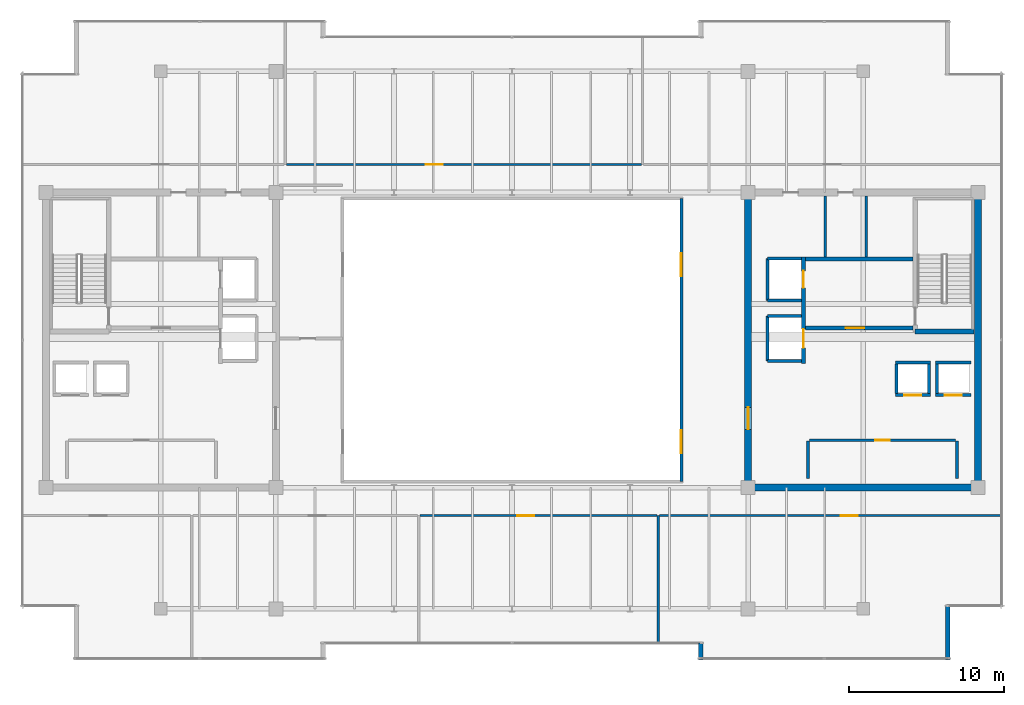
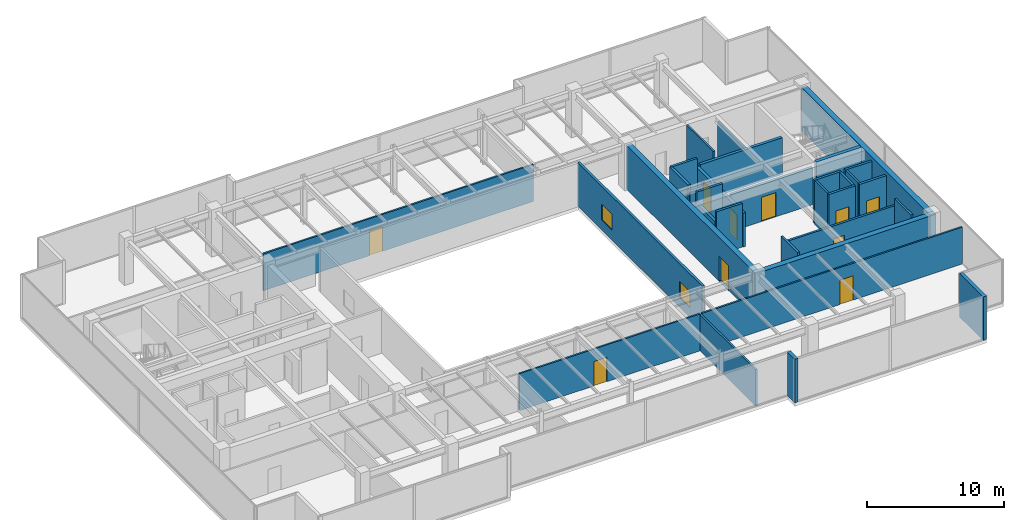
# One storey, part 28 of 31: 32 walls, 10 doors, 2 windows, 12 openings.
"""IFC4 building model written with IfcOpenShell, lengths in metres."""

from ifc_helpers import new_model, si_unit, direction, frame, frame_2d, origin, place, context, subcontext, project, spatial, rectangle, extrude, source, transform, mapped, material, layer, layer_set, type_object, type_shapes, element, fill, save


model = new_model("IFC4")

# Units and contexts
model_context = context("Model", 3, precision=1e-05, world=origin(), true_north=direction((0.0, 1.0)))
body_context = subcontext(model_context, "Body", "Model", "MODEL_VIEW")
ifc_project = project(units=[si_unit("LENGTHUNIT", "METRE"), si_unit("AREAUNIT", "SQUARE_METRE"), si_unit("VOLUMEUNIT", "CUBIC_METRE"), si_unit("PLANEANGLEUNIT", "RADIAN"), si_unit("MASSUNIT", "GRAM", prefix="KILO")], contexts=[model_context])

# Site, building, storey
site_placement = place(None, origin())
site = spatial("IfcSite", under=ifc_project, at=site_placement, CompositionType="ELEMENT")
building_placement = place(site_placement, origin())
building = spatial("IfcBuilding", under=site, at=building_placement, Name="Haelvirn Gate Laboratories", CompositionType="ELEMENT")
storey_placement = place(building_placement, frame((0.0, 0.0, 318.60009765625)))
storey = spatial("IfcBuildingStorey", under=building, at=storey_placement, Name="L76", CompositionType="ELEMENT", Elevation=318.60009765625)

# Walls
ifc_material_1 = material(Name="Thermally-broken bronze aluminium rainscreen & mineral wool", Category="aluminium")
ifc_layer_1 = layer(ifc_material_1, 0.280029296875, Name="EW-TERR-280")
ifc_layer_set_1 = layer_set([ifc_layer_1], Name="Thermally-broken bronze aluminium rainscreen & mineral wool")
wall_type_1 = type_object("IfcWallType", Name="EW-TERR-280", PredefinedType="STANDARD", material=ifc_layer_set_1)
wall_1_placement = place(storey_placement, frame((49.5400390625, 4.79296875, 0.0), z_axis=(0.0, 0.0, 1.0), x_axis=(0.0, -1.0, 0.0)))
element("IfcWall", 1, at=wall_1_placement, inside=storey, type_object=wall_type_1, Name="L76 Atrium Recess Bronze Return Wall 03", PredefinedType="STANDARD", context=body_context, shape_type="SweptSolid", body=[
    extrude(rectangle(XDim=1.093017578125, YDim=0.280029296875, at=frame_2d((0.54638671875, 0.0))), origin(), (0.0, 0.0, 1.0), 3.89990234375),
])
wall_2_placement = place(storey_placement, frame((65.4599609375, 3.699951171875, 0.0), z_axis=(0.0, 0.0, 1.0), x_axis=(0.0, 1.0, 0.0)))
element("IfcWall", 2, at=wall_2_placement, inside=storey, type_object=wall_type_1, Name="L76 Atrium Recess Bronze Return Wall 05", PredefinedType="STANDARD", context=body_context, shape_type="SweptSolid", body=[
    extrude(rectangle(XDim=3.488037109375, YDim=0.280029296875, at=frame_2d((1.744140625, 0.0))), origin(), (0.0, 0.0, 1.0), 3.89990234375),
])
ifc_material_2 = material(Name="Double-layer acoustic gypsum laboratory partition", Category="gypsum")
ifc_layer_2 = layer(ifc_material_2, 0.159912109375, Name="IW-ACOUST-160")
ifc_layer_set_2 = layer_set([ifc_layer_2], Name="Double-layer acoustic gypsum laboratory partition")
wall_type_2 = type_object("IfcWallType", Name="IW-ACOUST-160", PredefinedType="PARTITIONING", material=ifc_layer_set_2)
wall_3_placement = place(storey_placement, frame((46.800048828125, 4.81005859375, 0.0), z_axis=(0.0, 0.0, 1.0), x_axis=(0.0, 1.0, 0.0)))
element("IfcWall", 3, at=wall_3_placement, inside=storey, type_object=wall_type_2, Name="L76 Interior Wall IW-L76-SDIV-03", PredefinedType="PARTITIONING", context=body_context, shape_type="SweptSolid", body=[
    extrude(rectangle(XDim=8.18505859375, YDim=0.159912109375, at=frame_2d((4.092529296875, 0.0))), origin(), (0.0, 0.0, 1.0), 3.23486328125),
])

# Wall, openings, windows
ifc_material_3 = material(Name="Tempered fire-rated borosilicate glass & anodised aluminium", Category="aluminium")
ifc_layer_3 = layer(ifc_material_3, 0.195068359375, Name="IW-GLAZ-200")
ifc_layer_set_3 = layer_set([ifc_layer_3], Name="Tempered fire-rated borosilicate glass & anodised aluminium")
wall_type_3 = type_object("IfcWallType", Name="IW-GLAZ-200", PredefinedType="SOLIDWALL", material=ifc_layer_set_3)
wall_4_placement = place(storey_placement, frame((48.300048828125, 15.199951171875, 0.0), z_axis=(0.0, 0.0, 1.0), x_axis=(0.0, 1.0, 0.0)))
wall_4 = element("IfcWall", 4, at=wall_4_placement, inside=storey, type_object=wall_type_3, Name="L76 Interior Wall IW-L76-ATRIUM-E", PredefinedType="SOLIDWALL", context=body_context, shape_type="SweptSolid", body=[
    extrude(rectangle(XDim=18.199951171875, YDim=0.195068359375, at=frame_2d((9.10009765625, 0.0))), origin(), (0.0, 0.0, 1.0), 3.89990234375),
])
opening_1_placement = place(wall_4_placement, frame((1.800048828125, 0.0, 0.89990234375)))
opening_1 = element("IfcOpeningElement", 5, at=opening_1_placement, cuts=wall_4, Name="Opening W5", PredefinedType="OPENING", context=body_context, shape_type="SweptSolid", body=[
    extrude(rectangle(XDim=1.5, YDim=1.39990234375, at=frame_2d((0.75, 0.699951171875))), frame((0.0, 0.107421875, 0.0), z_axis=(0.0, -1.0, 0.0), x_axis=(1.0, 0.0, 0.0)), (0.0, 0.0, 1.0), 0.215087890625),
])
opening_2_placement = place(wall_4_placement, frame((13.199951171875, 0.0, 0.89990234375)))
opening_2 = element("IfcOpeningElement", 6, at=opening_2_placement, cuts=wall_4, Name="Opening W5", PredefinedType="OPENING", context=body_context, shape_type="SweptSolid", body=[
    extrude(rectangle(XDim=1.5, YDim=1.39990234375, at=frame_2d((0.75, 0.699951171875))), frame((0.0, 0.107421875, 0.0), z_axis=(0.0, -1.0, 0.0), x_axis=(1.0, 0.0, 0.0)), (0.0, 0.0, 1.0), 0.215087890625),
])
ifc_material_4 = material(Name="Fire-rated EI 120 borosilicate atrium vision glazing", Category="glass")
window_type = type_object("IfcWindowType", Name="WN-ATR-1500", PartitioningType="SINGLE_PANEL", PredefinedType="WINDOW", material=ifc_material_4)
shared_shape_1 = source(origin(), body_context, "Body", "SweptSolid", [
    extrude(rectangle(XDim=1.5, YDim=1.39990234375, at=frame_2d((0.75, 0.699951171875))), frame((0.0, 0.030029296875, 0.0), z_axis=(0.0, -1.0, 0.0), x_axis=(1.0, 0.0, 0.0)), (0.0, 0.0, 1.0), 0.06005859375),
])
type_shapes(window_type, [shared_shape_1])
window_1_placement = place(opening_1_placement, origin())
window_1 = element("IfcWindow", 7, at=window_1_placement, inside=storey, type_object=window_type, Name="L76 Atrium Observation Window 1", OverallHeight=1.39990234375, OverallWidth=1.5, PartitioningType="SINGLE_PANEL", PredefinedType="WINDOW", context=body_context, shape_type="MappedRepresentation", body=[
    mapped(shared_shape_1, transform((0.0, 0.0, 0.0), scale=1.0)),
])
fill(opening_1, window_1)
window_2_placement = place(opening_2_placement, origin())
window_2 = element("IfcWindow", 8, at=window_2_placement, inside=storey, type_object=window_type, Name="L76 Atrium Observation Window 2", OverallHeight=1.39990234375, OverallWidth=1.5, PartitioningType="SINGLE_PANEL", PredefinedType="WINDOW", context=body_context, shape_type="MappedRepresentation", body=[
    mapped(shared_shape_1, transform((0.0, 0.0, 0.0), scale=1.0)),
])
fill(opening_2, window_2)

# Wall, opening, door
ifc_material_5 = material(Name="Acoustic mineral-wool gypsum board partition", Category="gypsum")
ifc_layer_4 = layer(ifc_material_5, 0.139892578125, Name="IW-PART-140")
ifc_layer_set_4 = layer_set([ifc_layer_4], Name="Acoustic mineral-wool gypsum board partition")
wall_type_4 = type_object("IfcWallType", Name="IW-PART-140", PredefinedType="PARTITIONING", material=ifc_layer_set_4)
wall_5_placement = place(storey_placement, frame((31.47998046875, 12.9951171875, 0.0), z_axis=(0.0, 0.0, 1.0), x_axis=(1.0, 0.0, 0.0)))
wall_5 = element("IfcWall", 9, at=wall_5_placement, inside=storey, type_object=wall_type_4, Name="L76 Interior Wall IW-L76-SCORR-03", PredefinedType="PARTITIONING", context=body_context, shape_type="SweptSolid", body=[
    extrude(rectangle(XDim=15.239990234375, YDim=0.139892578125, at=frame_2d((7.6201171875, 0.0))), origin(), (0.0, 0.0, 1.0), 3.296875),
])
opening_3_placement = place(wall_5_placement, frame((6.263671875, 0.0, 0.0)))
opening_3 = element("IfcOpeningElement", 10, at=opening_3_placement, cuts=wall_5, Name="Opening D1", PredefinedType="OPENING", context=body_context, shape_type="SweptSolid", body=[
    extrude(rectangle(XDim=1.10009765625, YDim=2.179931640625, at=frame_2d((0.550048828125, 1.08984375))), frame((0.0, 0.080078125, 0.0), z_axis=(0.0, -1.0, 0.0), x_axis=(1.0, 0.0, 0.0)), (0.0, 0.0, 1.0), 0.159912109375),
])
ifc_material_6 = material(Name="Vision-panel acoustic solid-core timber lab door", Category="wood")
door_type_1 = type_object("IfcDoorType", Name="DR-LAB-1100", OperationType="NOTDEFINED", PredefinedType="DOOR", material=ifc_material_6)
shared_shape_2 = source(origin(), body_context, "Body", "SweptSolid", [
    extrude(rectangle(XDim=1.10009765625, YDim=2.179931640625, at=frame_2d((0.550048828125, 1.08984375))), frame((0.0, 0.02490234375, 0.0), z_axis=(0.0, -1.0, 0.0), x_axis=(1.0, 0.0, 0.0)), (0.0, 0.0, 1.0), 0.050048828125),
])
type_shapes(door_type_1, [shared_shape_2])
door_1_placement = place(opening_3_placement, origin())
door_1 = element("IfcDoor", 11, at=door_1_placement, inside=storey, type_object=door_type_1, Name="L76 Peer-Review Seminar Room Door S3", OperationType="SINGLE_SWING_LEFT", OverallHeight=2.179931640625, OverallWidth=1.10009765625, PredefinedType="DOOR", context=body_context, shape_type="MappedRepresentation", body=[
    mapped(shared_shape_2, transform((0.0, 0.0, 0.0), scale=1.0)),
])
fill(opening_3, door_1)

wall_6_placement = place(storey_placement, frame((46.8798828125, 12.9951171875, 0.0), z_axis=(0.0, 0.0, 1.0), x_axis=(1.0, 0.0, 0.0)))
wall_6 = element("IfcWall", 12, at=wall_6_placement, inside=storey, type_object=wall_type_4, Name="L76 Interior Wall IW-L76-SCORR-04", PredefinedType="PARTITIONING", context=body_context, shape_type="SweptSolid", body=[
    extrude(rectangle(XDim=22.010009765625, YDim=0.139892578125, at=frame_2d((11.0048828125, 0.0))), origin(), (0.0, 0.0, 1.0), 3.296875),
])
opening_4_placement = place(wall_6_placement, frame((11.66748046875, 0.0, 0.0)))
opening_4 = element("IfcOpeningElement", 13, at=opening_4_placement, cuts=wall_6, Name="Opening D1", PredefinedType="OPENING", context=body_context, shape_type="SweptSolid", body=[
    extrude(rectangle(XDim=1.10009765625, YDim=2.179931640625, at=frame_2d((0.550048828125, 1.08984375))), frame((0.0, 0.080078125, 0.0), z_axis=(0.0, -1.0, 0.0), x_axis=(1.0, 0.0, 0.0)), (0.0, 0.0, 1.0), 0.159912109375),
])
door_2_placement = place(opening_4_placement, origin())
door_2 = element("IfcDoor", 14, at=door_2_placement, inside=storey, type_object=door_type_1, Name="L76 Colloquium Conference Room Door S4", OperationType="SINGLE_SWING_RIGHT", OverallHeight=2.179931640625, OverallWidth=1.10009765625, PredefinedType="DOOR", context=body_context, shape_type="MappedRepresentation", body=[
    mapped(shared_shape_2, transform((0.0, 0.0, 0.0), scale=1.0)),
])
fill(opening_4, door_2)

wall_7_placement = place(storey_placement, frame((22.8798828125, 35.60498046875, 0.0), z_axis=(0.0, 0.0, 1.0), x_axis=(1.0, 0.0, 0.0)))
wall_7 = element("IfcWall", 15, at=wall_7_placement, inside=storey, type_object=wall_type_4, Name="L76 Interior Wall IW-L76-NCORR-02", PredefinedType="PARTITIONING", context=body_context, shape_type="SweptSolid", body=[
    extrude(rectangle(XDim=22.840087890625, YDim=0.139892578125, at=frame_2d((11.419921875, 0.0))), origin(), (0.0, 0.0, 1.0), 3.296875),
])
opening_5_placement = place(wall_7_placement, frame((8.976318359375, 0.0, 0.0)))
opening_5 = element("IfcOpeningElement", 16, at=opening_5_placement, cuts=wall_7, Name="Opening D1", PredefinedType="OPENING", context=body_context, shape_type="SweptSolid", body=[
    extrude(rectangle(XDim=1.10009765625, YDim=2.179931640625, at=frame_2d((0.550048828125, 1.08984375))), frame((0.0, 0.080078125, 0.0), z_axis=(0.0, -1.0, 0.0), x_axis=(1.0, 0.0, 0.0)), (0.0, 0.0, 1.0), 0.159912109375),
])
door_3_placement = place(opening_5_placement, origin())
door_3 = element("IfcDoor", 17, at=door_3_placement, inside=storey, type_object=door_type_1, Name="L76 Colloquium Conference Room Door N2", OperationType="SINGLE_SWING_LEFT", OverallHeight=2.179931640625, OverallWidth=1.10009765625, PredefinedType="DOOR", context=body_context, shape_type="MappedRepresentation", body=[
    mapped(shared_shape_2, transform((0.0, 0.0, 0.0), scale=1.0)),
])
fill(opening_5, door_3)

# Walls
ifc_material_7 = material(Name="Cement-board restroom plumbing chase wall", Category="gypsum")
ifc_layer_5 = layer(ifc_material_7, 0.155029296875, Name="IW-PLUMB-160")
ifc_layer_set_5 = layer_set([ifc_layer_5], Name="Cement-board restroom plumbing chase wall")
wall_type_5 = type_object("IfcWallType", Name="IW-PLUMB-160", PredefinedType="PLUMBINGWALL", material=ifc_layer_set_5)
wall_8_placement = place(storey_placement, frame((60.18994140625, 29.64990234375, 0.0), z_axis=(0.0, 0.0, 1.0), x_axis=(0.0, 1.0, 0.0)))
element("IfcWall", 18, at=wall_8_placement, inside=storey, type_object=wall_type_5, Name="L76 Interior Wall IW-L76-E-CDIV-0", PredefinedType="PLUMBINGWALL", context=body_context, shape_type="SweptSolid", body=[
    extrude(rectangle(XDim=3.93017578125, YDim=0.155029296875, at=frame_2d((1.965087890625, 0.0))), origin(), (0.0, 0.0, 1.0), 3.296875),
])
wall_9_placement = place(storey_placement, frame((57.56005859375, 29.64990234375, 0.0), z_axis=(0.0, 0.0, 1.0), x_axis=(0.0, 1.0, 0.0)))
element("IfcWall", 19, at=wall_9_placement, inside=storey, type_object=wall_type_5, Name="L76 Interior Wall IW-L76-E-CDIV-1", PredefinedType="PLUMBINGWALL", context=body_context, shape_type="SweptSolid", body=[
    extrude(rectangle(XDim=3.93017578125, YDim=0.155029296875, at=frame_2d((1.965087890625, 0.0))), origin(), (0.0, 0.0, 1.0), 3.89990234375),
])
ifc_material_8 = material(Name="Concrete C40/50", Category="concrete")
ifc_layer_6 = layer(ifc_material_8, 0.179931640625, Name="IW-SHAFT-180")
ifc_layer_set_6 = layer_set([ifc_layer_6], Name="Concrete C40/50")
wall_type_6 = type_object("IfcWallType", Name="IW-SHAFT-180", PredefinedType="SOLIDWALL", material=ifc_layer_set_6)
for number, where, z_axis, x_axis, name in (
    (20, (64.75, 20.85009765625, 0.0), (0.0, 0.0, 1.0), (0.0, 1.0, 0.0), "L76 Interior Wall IW-L76-PL11-SD"),
    (21, (62.14990234375, 20.85009765625, 0.0), (0.0, 0.0, 1.0), (0.0, 1.0, 0.0), "L76 Interior Wall IW-L76-PL12-SD"),
    (22, (64.25, 20.85009765625, 0.0), (0.0, 0.0, 1.0), (0.0, 1.0, 0.0), "L76 Interior Wall IW-L76-PL12-SDE"),
):
    element("IfcWall", number, at=place(storey_placement, frame(where, z_axis=z_axis, x_axis=x_axis)), inside=storey, type_object=wall_type_6, Name=name, PredefinedType="SOLIDWALL", context=body_context, shape_type="SweptSolid", body=[
        extrude(rectangle(XDim=1.89990234375, YDim=0.179931640625, at=frame_2d((0.949951171875, 0.0))), origin(), (0.0, 0.0, 1.0), 3.89990234375),
    ])

# Wall, opening, door
wall_10_placement = place(storey_placement, frame((56.550048828125, 17.85009765625, 0.0), z_axis=(0.0, 0.0, 1.0), x_axis=(1.0, 0.0, 0.0)))
wall_10 = element("IfcWall", 23, at=wall_10_placement, inside=storey, type_object=wall_type_6, Name="L76 Interior Wall IW-L76-E-FREED-HN-1", PredefinedType="SOLIDWALL", context=body_context, shape_type="SweptSolid", body=[
    extrude(rectangle(XDim=9.39990234375, YDim=0.179931640625, at=frame_2d((4.699951171875, 0.0))), origin(), (0.0, 0.0, 1.0), 3.296875),
])
opening_6_placement = place(wall_10_placement, frame((4.22509765625, 0.0, 0.0)))
opening_6 = element("IfcOpeningElement", 24, at=opening_6_placement, cuts=wall_10, Name="Opening FD4", PredefinedType="OPENING", context=body_context, shape_type="SweptSolid", body=[
    extrude(rectangle(XDim=0.949951171875, YDim=2.14990234375, at=frame_2d((0.47509765625, 1.074951171875))), frame((0.0, 0.10009765625, 0.0), z_axis=(0.0, -1.0, 0.0), x_axis=(1.0, 0.0, 0.0)), (0.0, 0.0, 1.0), 0.199951171875),
])
ifc_material_9 = material(Name="Fire-rated steel SM355 core service door", Category="steel")
door_type_2 = type_object("IfcDoorType", Name="DR-FD-950", OperationType="NOTDEFINED", PredefinedType="DOOR", material=ifc_material_9)
shared_shape_3 = source(origin(), body_context, "Body", "SweptSolid", [
    extrude(rectangle(XDim=0.949951171875, YDim=2.14990234375, at=frame_2d((0.47509765625, 1.074951171875))), frame((0.0, 0.02490234375, 0.0), z_axis=(0.0, -1.0, 0.0), x_axis=(1.0, 0.0, 0.0)), (0.0, 0.0, 1.0), 0.050048828125),
])
type_shapes(door_type_2, [shared_shape_3])
door_4_placement = place(opening_6_placement, origin())
door_4 = element("IfcDoor", 25, at=door_4_placement, inside=storey, type_object=door_type_2, Name="L76 Core Metrology & Calibration Laboratory Door", OperationType="SINGLE_SWING_LEFT", OverallHeight=2.14990234375, OverallWidth=0.949951171875, PredefinedType="DOOR", context=body_context, shape_type="MappedRepresentation", body=[
    mapped(shared_shape_3, transform((0.0, 0.0, 0.0), scale=1.0)),
])
fill(opening_6, door_4)

# Walls
for number, where, z_axis, x_axis, name in (
    (26, (56.4599609375, 15.39990234375, 0.0), (0.0, 0.0, 1.0), (0.0, 1.0, 0.0), "L76 Interior Wall IW-L76-E-FREED-HE-1"),
    (27, (66.0400390625, 15.39990234375, 0.0), (0.0, 0.0, 1.0), (0.0, 1.0, 0.0), "L76 Interior Wall IW-L76-E-FREED-HW-1"),
):
    element("IfcWall", number, at=place(storey_placement, frame(where, z_axis=z_axis, x_axis=x_axis)), inside=storey, type_object=wall_type_6, Name=name, PredefinedType="SOLIDWALL", context=body_context, shape_type="SweptSolid", body=[
        extrude(rectangle(XDim=2.400146484375, YDim=0.179931640625, at=frame_2d((1.2001953125, 0.0))), origin(), (0.0, 0.0, 1.0), 3.89990234375),
    ])

# Wall, opening, door
ifc_layer_7 = layer(ifc_material_8, 0.199951171875, Name="IW-SHAFT-200")
ifc_layer_set_7 = layer_set([ifc_layer_7], Name="Concrete C40/50")
wall_type_7 = type_object("IfcWallType", Name="IW-SHAFT-200", PredefinedType="SOLIDWALL", material=ifc_layer_set_7)
wall_11_placement = place(storey_placement, frame((64.669921875, 20.75, 0.0), z_axis=(0.0, 0.0, 1.0), x_axis=(1.0, 0.0, 0.0)))
wall_11 = element("IfcWall", 28, at=wall_11_placement, inside=storey, type_object=wall_type_7, Name="L76 Interior Wall IW-L76-PL11-FR", PredefinedType="SOLIDWALL", context=body_context, shape_type="SweptSolid", body=[
    extrude(rectangle(XDim=2.260009765625, YDim=0.199951171875, at=frame_2d((1.1298828125, 0.0))), origin(), (0.0, 0.0, 1.0), 3.89990234375),
])
opening_7_placement = place(wall_11_placement, frame((0.580078125, 0.0, 0.0)))
opening_7 = element("IfcOpeningElement", 29, at=opening_7_placement, cuts=wall_11, Name="Opening LD2", PredefinedType="OPENING", context=body_context, shape_type="SweptSolid", body=[
    extrude(rectangle(XDim=1.10009765625, YDim=2.219970703125, at=frame_2d((0.550048828125, 1.10986328125))), frame((0.0, 0.10986328125, 0.0), z_axis=(0.0, -1.0, 0.0), x_axis=(1.0, 0.0, 0.0)), (0.0, 0.0, 1.0), 0.219970703125),
])
ifc_material_10 = material(Name="Bronze stainless 316L sliding lift landing door")
door_type_3 = type_object("IfcDoorType", Name="DR-LD-1100", OperationType="NOTDEFINED", PredefinedType="USERDEFINED", material=ifc_material_10)
shared_shape_4 = source(origin(), body_context, "Body", "SweptSolid", [
    extrude(rectangle(XDim=1.10009765625, YDim=2.219970703125, at=frame_2d((0.550048828125, 1.10986328125))), frame((0.0, 0.02490234375, 0.0), z_axis=(0.0, -1.0, 0.0), x_axis=(1.0, 0.0, 0.0)), (0.0, 0.0, 1.0), 0.050048828125),
])
type_shapes(door_type_3, [shared_shape_4])
door_5_placement = place(opening_7_placement, origin())
door_5 = element("IfcDoor", 30, at=door_5_placement, inside=storey, type_object=door_type_3, Name="L76 Passenger Lift PL11 Landing Door", ObjectType="LANDING_DOOR", OperationType="SLIDING_TO_LEFT", OverallHeight=2.219970703125, OverallWidth=1.10009765625, PredefinedType="USERDEFINED", context=body_context, shape_type="MappedRepresentation", body=[
    mapped(shared_shape_4, transform((0.0, 0.0, 0.0), scale=1.0)),
])
fill(opening_7, door_5)

# Wall
wall_12_placement = place(storey_placement, frame((64.669921875, 22.85009765625, 0.0), z_axis=(0.0, 0.0, 1.0), x_axis=(1.0, 0.0, 0.0)))
element("IfcWall", 31, at=wall_12_placement, inside=storey, type_object=wall_type_7, Name="L76 Interior Wall IW-L76-PL11-BK", PredefinedType="SOLIDWALL", context=body_context, shape_type="SweptSolid", body=[
    extrude(rectangle(XDim=2.260009765625, YDim=0.199951171875, at=frame_2d((1.1298828125, 0.0))), origin(), (0.0, 0.0, 1.0), 3.89990234375),
])

# Wall, opening, door
wall_13_placement = place(storey_placement, frame((62.070068359375, 20.75, 0.0), z_axis=(0.0, 0.0, 1.0), x_axis=(1.0, 0.0, 0.0)))
wall_13 = element("IfcWall", 32, at=wall_13_placement, inside=storey, type_object=wall_type_7, Name="L76 Interior Wall IW-L76-PL12-FR", PredefinedType="SOLIDWALL", context=body_context, shape_type="SweptSolid", body=[
    extrude(rectangle(XDim=2.260009765625, YDim=0.199951171875, at=frame_2d((1.1298828125, 0.0))), origin(), (0.0, 0.0, 1.0), 3.89990234375),
])
opening_8_placement = place(wall_13_placement, frame((0.580078125, 0.0, 0.0)))
opening_8 = element("IfcOpeningElement", 33, at=opening_8_placement, cuts=wall_13, Name="Opening LD2", PredefinedType="OPENING", context=body_context, shape_type="SweptSolid", body=[
    extrude(rectangle(XDim=1.10009765625, YDim=2.219970703125, at=frame_2d((0.550048828125, 1.10986328125))), frame((0.0, 0.10986328125, 0.0), z_axis=(0.0, -1.0, 0.0), x_axis=(1.0, 0.0, 0.0)), (0.0, 0.0, 1.0), 0.219970703125),
])
door_6_placement = place(opening_8_placement, origin())
door_6 = element("IfcDoor", 34, at=door_6_placement, inside=storey, type_object=door_type_3, Name="L76 Passenger Lift PL12 Landing Door", ObjectType="LANDING_DOOR", OperationType="SLIDING_TO_RIGHT", OverallHeight=2.219970703125, OverallWidth=1.10009765625, PredefinedType="USERDEFINED", context=body_context, shape_type="MappedRepresentation", body=[
    mapped(shared_shape_4, transform((0.0, 0.0, 0.0), scale=1.0)),
])
fill(opening_8, door_6)

# Walls
wall_14_placement = place(storey_placement, frame((62.070068359375, 22.85009765625, 0.0), z_axis=(0.0, 0.0, 1.0), x_axis=(1.0, 0.0, 0.0)))
element("IfcWall", 35, at=wall_14_placement, inside=storey, type_object=wall_type_7, Name="L76 Interior Wall IW-L76-PL12-BK", PredefinedType="SOLIDWALL", context=body_context, shape_type="SweptSolid", body=[
    extrude(rectangle(XDim=2.260009765625, YDim=0.199951171875, at=frame_2d((1.1298828125, 0.0))), origin(), (0.0, 0.0, 1.0), 3.89990234375),
])
wall_15_placement = place(storey_placement, frame((53.85009765625, 26.85009765625, 0.0), z_axis=(0.0, 0.0, 1.0), x_axis=(0.0, 1.0, 0.0)))
element("IfcWall", 36, at=wall_15_placement, inside=storey, type_object=wall_type_7, Name="L76 Interior Wall IW-L76-FL2-BK", PredefinedType="SOLIDWALL", context=body_context, shape_type="SweptSolid", body=[
    extrude(rectangle(XDim=2.699951171875, YDim=0.199951171875, at=frame_2d((1.35009765625, 0.0))), origin(), (0.0, 0.0, 1.0), 3.89990234375),
])
wall_16_placement = place(storey_placement, frame((53.85009765625, 29.550048828125, 0.0), z_axis=(0.0, 0.0, 1.0), x_axis=(1.0, 0.0, 0.0)))
element("IfcWall", 37, at=wall_16_placement, inside=storey, type_object=wall_type_7, Name="L76 Interior Wall IW-L76-FL2-N", PredefinedType="SOLIDWALL", context=body_context, shape_type="SweptSolid", body=[
    extrude(rectangle(XDim=2.18994140625, YDim=0.199951171875, at=frame_2d((1.094970703125, 0.0))), origin(), (0.0, 0.0, 1.0), 3.89990234375),
])
wall_17_placement = place(storey_placement, frame((53.85009765625, 26.85009765625, 0.0), z_axis=(0.0, 0.0, 1.0), x_axis=(1.0, 0.0, 0.0)))
element("IfcWall", 38, at=wall_17_placement, inside=storey, type_object=wall_type_7, Name="L76 Interior Wall IW-L76-FL2-S", PredefinedType="SOLIDWALL", context=body_context, shape_type="SweptSolid", body=[
    extrude(rectangle(XDim=2.18994140625, YDim=0.199951171875, at=frame_2d((1.094970703125, 0.0))), origin(), (0.0, 0.0, 1.0), 3.296875),
])
wall_18_placement = place(storey_placement, frame((53.85009765625, 22.949951171875, 0.0), z_axis=(0.0, 0.0, 1.0), x_axis=(0.0, 1.0, 0.0)))
element("IfcWall", 39, at=wall_18_placement, inside=storey, type_object=wall_type_7, Name="L76 Interior Wall IW-L76-SL2-BK", PredefinedType="SOLIDWALL", context=body_context, shape_type="SweptSolid", body=[
    extrude(rectangle(XDim=2.900146484375, YDim=0.199951171875, at=frame_2d((1.4501953125, 0.0))), origin(), (0.0, 0.0, 1.0), 3.034912109375),
])
for number, where, z_axis, x_axis, name in (
    (40, (53.85009765625, 25.85009765625, 0.0), (0.0, 0.0, 1.0), (1.0, 0.0, 0.0), "L76 Interior Wall IW-L76-SL2-N"),
    (41, (53.85009765625, 22.949951171875, 0.0), (0.0, 0.0, 1.0), (1.0, 0.0, 0.0), "L76 Interior Wall IW-L76-SL2-S"),
):
    element("IfcWall", number, at=place(storey_placement, frame(where, z_axis=z_axis, x_axis=x_axis)), inside=storey, type_object=wall_type_7, Name=name, PredefinedType="SOLIDWALL", context=body_context, shape_type="SweptSolid", body=[
        extrude(rectangle(XDim=2.18994140625, YDim=0.199951171875, at=frame_2d((1.094970703125, 0.0))), origin(), (0.0, 0.0, 1.0), 3.89990234375),
    ])

# Wall, opening, door
ifc_layer_8 = layer(ifc_material_8, 0.239990234375, Name="IW-SHAFT-240")
ifc_layer_set_8 = layer_set([ifc_layer_8], Name="Concrete C40/50")
wall_type_8 = type_object("IfcWallType", Name="IW-SHAFT-240", PredefinedType="SOLIDWALL", material=ifc_layer_set_8)
wall_19_placement = place(storey_placement, frame((56.280029296875, 25.080078125, 0.0), z_axis=(0.0, 0.0, 1.0), x_axis=(1.0, 0.0, 0.0)))
wall_19 = element("IfcWall", 42, at=wall_19_placement, inside=storey, type_object=wall_type_8, Name="L76 Interior Wall IW-L76-E-FF-S", PredefinedType="SOLIDWALL", context=body_context, shape_type="SweptSolid", body=[
    extrude(rectangle(XDim=6.919921875, YDim=0.239990234375, at=frame_2d((3.4599609375, 0.0))), origin(), (0.0, 0.0, 1.0), 3.296875),
])
opening_9_placement = place(wall_19_placement, frame((2.60009765625, 0.0, 0.0)))
opening_9 = element("IfcOpeningElement", 43, at=opening_9_placement, cuts=wall_19, Name="Opening FD2", PredefinedType="OPENING", context=body_context, shape_type="SweptSolid", body=[
    extrude(rectangle(XDim=1.199951171875, YDim=2.159912109375, at=frame_2d((0.60009765625, 1.080078125))), frame((0.0, 0.1298828125, 0.0), z_axis=(0.0, -1.0, 0.0), x_axis=(1.0, 0.0, 0.0)), (0.0, 0.0, 1.0), 0.260009765625),
])
ifc_material_11 = material(Name="Fire-rated steel SM355 compartment door", Category="steel")
door_type_4 = type_object("IfcDoorType", Name="DR-FD-1200", OperationType="NOTDEFINED", PredefinedType="DOOR", material=ifc_material_11)
shared_shape_5 = source(origin(), body_context, "Body", "SweptSolid", [
    extrude(rectangle(XDim=1.199951171875, YDim=2.159912109375, at=frame_2d((0.60009765625, 1.080078125))), frame((0.0, 0.02490234375, 0.0), z_axis=(0.0, -1.0, 0.0), x_axis=(1.0, 0.0, 0.0)), (0.0, 0.0, 1.0), 0.050048828125),
])
type_shapes(door_type_4, [shared_shape_5])
door_7_placement = place(opening_9_placement, origin())
door_7 = element("IfcDoor", 44, at=door_7_placement, inside=storey, type_object=door_type_4, Name="L76 East Firefighting Lobby Door", OperationType="SINGLE_SWING_LEFT", OverallHeight=2.159912109375, OverallWidth=1.199951171875, PredefinedType="DOOR", context=body_context, shape_type="MappedRepresentation", body=[
    mapped(shared_shape_5, transform((0.0, 0.0, 0.0), scale=1.0)),
])
fill(opening_9, door_7)

# Wall
wall_20_placement = place(storey_placement, frame((56.280029296875, 29.52001953125, 0.0), z_axis=(0.0, 0.0, 1.0), x_axis=(1.0, 0.0, 0.0)))
element("IfcWall", 45, at=wall_20_placement, inside=storey, type_object=wall_type_8, Name="L76 Interior Wall IW-L76-E-FF-N", PredefinedType="SOLIDWALL", context=body_context, shape_type="SweptSolid", body=[
    extrude(rectangle(XDim=6.919921875, YDim=0.239990234375, at=frame_2d((3.4599609375, 0.0))), origin(), (0.0, 0.0, 1.0), 3.296875),
])

# Wall, openings, doors
wall_21_placement = place(storey_placement, frame((56.159912109375, 22.800048828125, 0.0), z_axis=(0.0, 0.0, 1.0), x_axis=(0.0, 1.0, 0.0)))
wall_21 = element("IfcWall", 46, at=wall_21_placement, inside=storey, type_object=wall_type_8, Name="L76 Interior Wall IW-L76-E-FF-E", PredefinedType="SOLIDWALL", context=body_context, shape_type="SweptSolid", body=[
    extrude(rectangle(XDim=6.849853515625, YDim=0.239990234375, at=frame_2d((3.4248046875, 0.0))), origin(), (0.0, 0.0, 1.0), 3.034912109375),
])
opening_10_placement = place(wall_21_placement, frame((4.85009765625, 0.0, 0.0)))
opening_10 = element("IfcOpeningElement", 47, at=opening_10_placement, cuts=wall_21, Name="Opening LD2", PredefinedType="OPENING", context=body_context, shape_type="SweptSolid", body=[
    extrude(rectangle(XDim=1.10009765625, YDim=2.219970703125, at=frame_2d((0.550048828125, 1.10986328125))), frame((0.0, 0.1298828125, 0.0), z_axis=(0.0, -1.0, 0.0), x_axis=(1.0, 0.0, 0.0)), (0.0, 0.0, 1.0), 0.260009765625),
])
opening_11_placement = place(wall_21_placement, frame((1.0, 0.0, 0.0)))
opening_11 = element("IfcOpeningElement", 48, at=opening_11_placement, cuts=wall_21, Name="Opening LD1", PredefinedType="OPENING", context=body_context, shape_type="SweptSolid", body=[
    extrude(rectangle(XDim=1.199951171875, YDim=2.219970703125, at=frame_2d((0.60009765625, 1.10986328125))), frame((0.0, 0.1298828125, 0.0), z_axis=(0.0, -1.0, 0.0), x_axis=(1.0, 0.0, 0.0)), (0.0, 0.0, 1.0), 0.260009765625),
])
door_8_placement = place(opening_10_placement, origin())
door_8 = element("IfcDoor", 49, at=door_8_placement, inside=storey, type_object=door_type_3, Name="L76 Firefighting Lift FL2 Landing Door", ObjectType="LANDING_DOOR", OperationType="SLIDING_TO_RIGHT", OverallHeight=2.219970703125, OverallWidth=1.10009765625, PredefinedType="USERDEFINED", context=body_context, shape_type="MappedRepresentation", body=[
    mapped(shared_shape_4, transform((0.0, 0.0, 0.0), scale=1.0)),
])
fill(opening_10, door_8)
ifc_material_12 = material(Name="Stainless steel 316L sliding goods landing door", Category="steel")
door_type_5 = type_object("IfcDoorType", Name="DR-LD-1200", OperationType="NOTDEFINED", PredefinedType="USERDEFINED", material=ifc_material_12)
shared_shape_6 = source(origin(), body_context, "Body", "SweptSolid", [
    extrude(rectangle(XDim=1.199951171875, YDim=2.219970703125, at=frame_2d((0.60009765625, 1.10986328125))), frame((0.0, 0.02490234375, 0.0), z_axis=(0.0, -1.0, 0.0), x_axis=(1.0, 0.0, 0.0)), (0.0, 0.0, 1.0), 0.050048828125),
])
type_shapes(door_type_5, [shared_shape_6])
door_9_placement = place(opening_11_placement, origin())
door_9 = element("IfcDoor", 50, at=door_9_placement, inside=storey, type_object=door_type_5, Name="L76 Service Lift SL2 Landing Door", ObjectType="LANDING_DOOR", OperationType="SLIDING_TO_LEFT", OverallHeight=2.219970703125, OverallWidth=1.199951171875, PredefinedType="USERDEFINED", context=body_context, shape_type="MappedRepresentation", body=[
    mapped(shared_shape_6, transform((0.0, 0.0, 0.0), scale=1.0)),
])
fill(opening_11, door_9)

# Wall
ifc_material_13 = material(Name="Concrete C50/60", Category="concrete")
ifc_layer_9 = layer(ifc_material_13, 0.449951171875, Name="SW-CORE-450")
ifc_layer_set_9 = layer_set([ifc_layer_9], Name="Concrete C50/60")
wall_type_9 = type_object("IfcWallType", Name="SW-CORE-450", PredefinedType="SHEAR", material=ifc_layer_set_9)
wall_22_placement = place(storey_placement, frame((52.375, 14.800048828125, 0.0), z_axis=(0.0, 0.0, 1.0), x_axis=(1.0, 0.0, 0.0)))
element("IfcWall", 51, at=wall_22_placement, inside=storey, type_object=wall_type_9, Name="L76 E Core Shear Wall S", PredefinedType="SHEAR", context=body_context, shape_type="SweptSolid", body=[
    extrude(rectangle(XDim=15.25, YDim=0.449951171875, at=frame_2d((7.625, 0.0))), origin(), (0.0, 0.0, 1.0), 3.89990234375),
])

# Wall, opening, door
wall_23_placement = place(storey_placement, frame((52.60009765625, 15.02490234375, 0.0), z_axis=(0.0, 0.0, 1.0), x_axis=(0.0, 1.0, 0.0)))
wall_23 = element("IfcWall", 52, at=wall_23_placement, inside=storey, type_object=wall_type_9, Name="L76 E Core Shear Wall W", PredefinedType="SHEAR", context=body_context, shape_type="SweptSolid", body=[
    extrude(rectangle(XDim=18.550048828125, YDim=0.449951171875, at=frame_2d((9.27490234375, 0.0))), origin(), (0.0, 0.0, 1.0), 3.89990234375),
])
opening_12_placement = place(wall_23_placement, frame((3.52490234375, 0.0, 0.0)))
opening_12 = element("IfcOpeningElement", 53, at=opening_12_placement, cuts=wall_23, Name="Opening FD1", PredefinedType="OPENING", context=body_context, shape_type="SweptSolid", body=[
    extrude(rectangle(XDim=1.419921875, YDim=2.199951171875, at=frame_2d((0.7099609375, 1.10009765625))), frame((0.0, 0.23486328125, 0.0), z_axis=(0.0, -1.0, 0.0), x_axis=(1.0, 0.0, 0.0)), (0.0, 0.0, 1.0), 0.469970703125),
])
ifc_material_14 = material(Name="Fire-rated double steel SM355 lobby door", Category="steel")
door_type_6 = type_object("IfcDoorType", Name="DR-FD-1400", OperationType="NOTDEFINED", PredefinedType="DOOR", material=ifc_material_14)
shared_shape_7 = source(origin(), body_context, "Body", "SweptSolid", [
    extrude(rectangle(XDim=1.419921875, YDim=2.199951171875, at=frame_2d((0.7099609375, 1.10009765625))), frame((0.0, 0.02490234375, 0.0), z_axis=(0.0, -1.0, 0.0), x_axis=(1.0, 0.0, 0.0)), (0.0, 0.0, 1.0), 0.050048828125),
])
type_shapes(door_type_6, [shared_shape_7])
door_10_placement = place(opening_12_placement, origin())
door_10 = element("IfcDoor", 54, at=door_10_placement, inside=storey, type_object=door_type_6, Name="L76 East Core Lift Lobby Fire Door", OperationType="DOUBLE_DOOR_SINGLE_SWING", OverallHeight=2.199951171875, OverallWidth=1.419921875, PredefinedType="DOOR", context=body_context, shape_type="MappedRepresentation", body=[
    mapped(shared_shape_7, transform((0.0, 0.0, 0.0), scale=1.0)),
])
fill(opening_12, door_10)

# Walls
wall_24_placement = place(storey_placement, frame((67.39990234375, 15.02490234375, 0.0), z_axis=(0.0, 0.0, 1.0), x_axis=(0.0, 1.0, 0.0)))
element("IfcWall", 55, at=wall_24_placement, inside=storey, type_object=wall_type_9, Name="L76 E Core Shear Wall E", PredefinedType="SHEAR", context=body_context, shape_type="SweptSolid", body=[
    extrude(rectangle(XDim=18.550048828125, YDim=0.449951171875, at=frame_2d((9.27490234375, 0.0))), origin(), (0.0, 0.0, 1.0), 3.89990234375),
])
ifc_layer_10 = layer(ifc_material_13, 0.300048828125, Name="SW-STAIR-300")
ifc_layer_set_10 = layer_set([ifc_layer_10], Name="Concrete C50/60")
wall_type_10 = type_object("IfcWallType", Name="SW-STAIR-300", PredefinedType="SHEAR", material=ifc_layer_set_10)
wall_25_placement = place(storey_placement, frame((63.35009765625, 24.85009765625, 0.0), z_axis=(0.0, 0.0, 1.0), x_axis=(1.0, 0.0, 0.0)))
element("IfcWall", 56, at=wall_25_placement, inside=storey, type_object=wall_type_10, Name="L76 E Core Stair Shaft Structural Wall S", PredefinedType="SHEAR", context=body_context, shape_type="SweptSolid", body=[
    extrude(rectangle(XDim=3.7998046875, YDim=0.300048828125, at=frame_2d((1.89990234375, 0.0))), origin(), (0.0, 0.0, 1.0), 3.89990234375),
])

save(model, "model.ifc")
